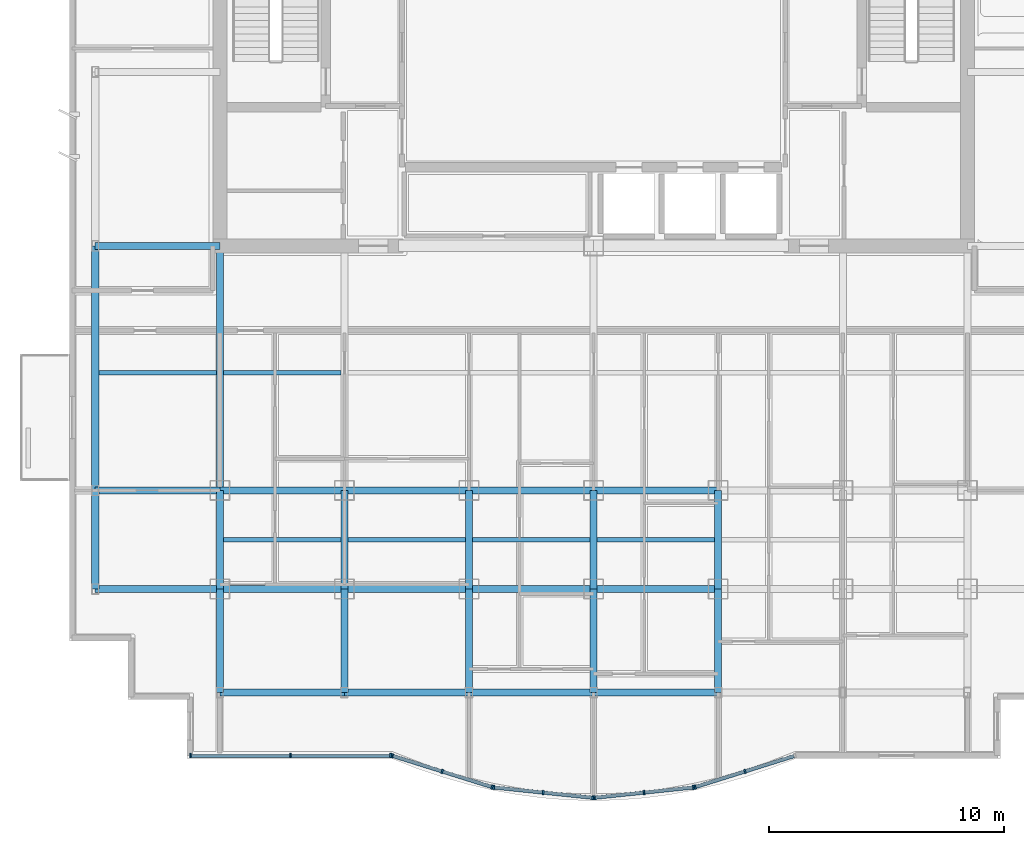
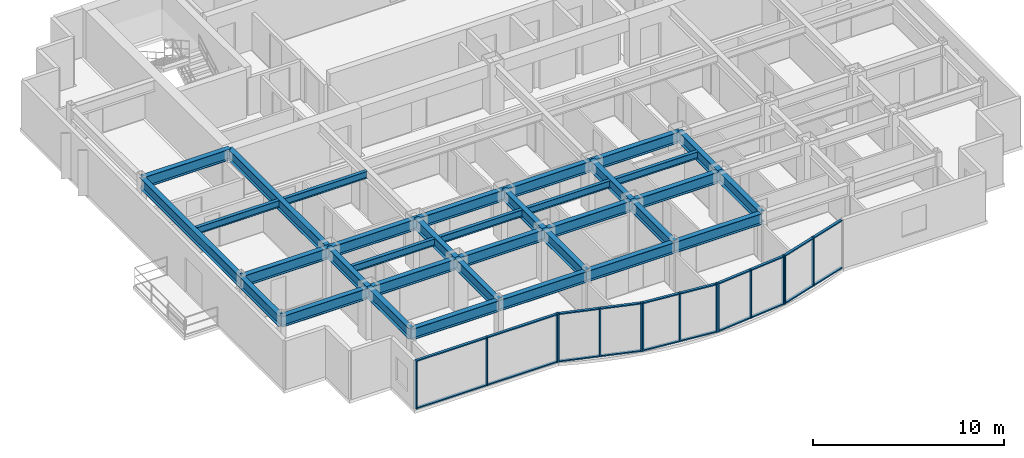
# One storey, part 2 of 11: 34 beams, 34 members, 5 elements without a shape of their own.
"""IFC4 building model written with IfcOpenShell, lengths in metres."""

from ifc_helpers import new_model, si_unit, direction, frame, origin, origin_2d, place, context, subcontext, project, spatial, rectangle, i_section, extrude, source, transform, mapped, material, layer, layer_set, material_profile, profile_set, type_object, element, aggregate, save


model = new_model("IFC4")

# Units and contexts
model_context = context("Model", 3, precision=1e-05, world=origin(), true_north=direction((0.0, 1.0)))
body_context = subcontext(model_context, "Body", "Model", "MODEL_VIEW")
ifc_project = project(units=[si_unit("LENGTHUNIT", "METRE"), si_unit("AREAUNIT", "SQUARE_METRE"), si_unit("VOLUMEUNIT", "CUBIC_METRE"), si_unit("PLANEANGLEUNIT", "RADIAN"), si_unit("MASSUNIT", "GRAM", prefix="KILO")], contexts=[model_context])

# Site, building, storey
site_placement = place(None, origin())
site = spatial("IfcSite", under=ifc_project, at=site_placement, CompositionType="ELEMENT")
building_placement = place(site_placement, origin())
building = spatial("IfcBuilding", under=site, at=building_placement, Name="Qianlan Lanfeng Residences", CompositionType="ELEMENT")
storey_placement = place(building_placement, frame((0.0, 0.0, 175.5)))
storey = spatial("IfcBuildingStorey", under=building, at=storey_placement, Name="L48", CompositionType="ELEMENT", Elevation=175.5)

# Beams
ifc_material_1 = material(Name="Steel SN490B", Category="steel")
ifc_material_profile_1 = material_profile(ifc_material_1, i_section(OverallWidth=0.300048828125, OverallDepth=0.699951171875, WebThickness=0.012939453125, FlangeThickness=0.02392578125, at=origin_2d()), Name="H 700x300x13x24")
ifc_profile_set_1 = profile_set([ifc_material_profile_1], Name="Steel SN490B")
beam_type_1 = type_object("IfcBeamType", Name="G-750", PredefinedType="BEAM", material=ifc_profile_set_1)
beam_1_placement = place(storey_placement, frame((5.300048828125, 10.60009765625, 2.75), z_axis=(1.0, 0.0, 0.0), x_axis=(0.0, 1.0, 0.0)))
element("IfcBeam", 1, at=beam_1_placement, inside=storey, type_object=beam_type_1, Name="Structural beam G-750", PredefinedType="BEAM", context=body_context, shape_type="SweptSolid", body=[
    extrude(i_section(OverallWidth=0.300048828125, OverallDepth=0.699951171875, WebThickness=0.012939453125, FlangeThickness=0.02392578125, at=origin_2d()), origin(), (0.0, 0.0, 1.0), 5.300048828125),
])
beam_2_placement = place(storey_placement, frame((10.60009765625, 10.60009765625, 2.75), z_axis=(1.0, 0.0, 0.0), x_axis=(0.0, 1.0, 0.0)))
element("IfcBeam", 2, at=beam_2_placement, inside=storey, type_object=beam_type_1, Name="Structural beam G-750", PredefinedType="BEAM", context=body_context, shape_type="SweptSolid", body=[
    extrude(i_section(OverallWidth=0.300048828125, OverallDepth=0.699951171875, WebThickness=0.012939453125, FlangeThickness=0.02392578125, at=origin_2d()), origin(), (0.0, 0.0, 1.0), 5.2998046875),
])
for number, where, z_axis, x_axis, name in (
    (3, (15.89990234375, 10.60009765625, 2.75), (1.0, 0.0, 0.0), (0.0, 1.0, 0.0), "Structural beam G-750"),
    (4, (21.199951171875, 10.60009765625, 2.75), (1.0, 0.0, 0.0), (0.0, 1.0, 0.0), "Structural beam G-750"),
    (5, (26.5, 10.60009765625, 2.75), (1.0, 0.0, 0.0), (0.0, 1.0, 0.0), "Structural beam G-750"),
    (6, (5.300048828125, 14.800048828125, 2.75), (1.0, 0.0, 0.0), (0.0, 1.0, 0.0), "Structural beam G-750"),
):
    element("IfcBeam", number, at=place(storey_placement, frame(where, z_axis=z_axis, x_axis=x_axis)), inside=storey, type_object=beam_type_1, Name=name, PredefinedType="BEAM", context=body_context, shape_type="SweptSolid", body=[
        extrude(i_section(OverallWidth=0.300048828125, OverallDepth=0.699951171875, WebThickness=0.012939453125, FlangeThickness=0.02392578125, at=origin_2d()), origin(), (0.0, 0.0, 1.0), 5.300048828125),
    ])
beam_3_placement = place(storey_placement, frame((10.60009765625, 14.800048828125, 2.75), z_axis=(1.0, 0.0, 0.0), x_axis=(0.0, 1.0, 0.0)))
element("IfcBeam", 7, at=beam_3_placement, inside=storey, type_object=beam_type_1, Name="Structural beam G-750", PredefinedType="BEAM", context=body_context, shape_type="SweptSolid", body=[
    extrude(i_section(OverallWidth=0.300048828125, OverallDepth=0.699951171875, WebThickness=0.012939453125, FlangeThickness=0.02392578125, at=origin_2d()), origin(), (0.0, 0.0, 1.0), 5.2998046875),
])
for number, where, z_axis, x_axis, name in (
    (8, (15.89990234375, 14.800048828125, 2.75), (1.0, 0.0, 0.0), (0.0, 1.0, 0.0), "Structural beam G-750"),
    (9, (21.199951171875, 14.800048828125, 2.75), (1.0, 0.0, 0.0), (0.0, 1.0, 0.0), "Structural beam G-750"),
    (10, (26.5, 14.800048828125, 2.75), (1.0, 0.0, 0.0), (0.0, 1.0, 0.0), "Structural beam G-750"),
    (11, (5.300048828125, 25.199951171875, 2.75), (1.0, 0.0, 0.0), (0.0, 1.0, 0.0), "Structural beam G-750"),
):
    element("IfcBeam", number, at=place(storey_placement, frame(where, z_axis=z_axis, x_axis=x_axis)), inside=storey, type_object=beam_type_1, Name=name, PredefinedType="BEAM", context=body_context, shape_type="SweptSolid", body=[
        extrude(i_section(OverallWidth=0.300048828125, OverallDepth=0.699951171875, WebThickness=0.012939453125, FlangeThickness=0.02392578125, at=origin_2d()), origin(), (0.0, 0.0, 1.0), 5.300048828125),
    ])
beam_4_placement = place(storey_placement, frame((10.60009765625, 6.199951171875, 2.75), z_axis=(0.0, 1.0, 0.0), x_axis=(-1.0, 0.0, 0.0)))
element("IfcBeam", 12, at=beam_4_placement, inside=storey, type_object=beam_type_1, Name="Structural beam G-750", PredefinedType="BEAM", context=body_context, shape_type="SweptSolid", body=[
    extrude(i_section(OverallWidth=0.300048828125, OverallDepth=0.699951171875, WebThickness=0.012939453125, FlangeThickness=0.02392578125, at=origin_2d()), origin(), (0.0, 0.0, 1.0), 4.400146484375),
])
beam_5_placement = place(storey_placement, frame((10.60009765625, 10.60009765625, 2.75), z_axis=(0.0, 1.0, 0.0), x_axis=(-1.0, 0.0, 0.0)))
element("IfcBeam", 13, at=beam_5_placement, inside=storey, type_object=beam_type_1, Name="Structural beam G-750", PredefinedType="BEAM", context=body_context, shape_type="SweptSolid", body=[
    extrude(i_section(OverallWidth=0.300048828125, OverallDepth=0.699951171875, WebThickness=0.012939453125, FlangeThickness=0.02392578125, at=origin_2d()), origin(), (0.0, 0.0, 1.0), 4.199951171875),
])
beam_6_placement = place(storey_placement, frame((10.60009765625, 14.800048828125, 2.75), z_axis=(0.0, 1.0, 0.0), x_axis=(-1.0, 0.0, 0.0)))
element("IfcBeam", 14, at=beam_6_placement, inside=storey, type_object=beam_type_1, Name="Structural beam G-750", PredefinedType="BEAM", context=body_context, shape_type="SweptSolid", body=[
    extrude(i_section(OverallWidth=0.300048828125, OverallDepth=0.699951171875, WebThickness=0.012939453125, FlangeThickness=0.02392578125, at=origin_2d()), origin(), (0.0, 0.0, 1.0), 10.39990234375),
])
beam_7_placement = place(storey_placement, frame((15.89990234375, 6.199951171875, 2.75), z_axis=(0.0, 1.0, 0.0), x_axis=(-1.0, 0.0, 0.0)))
element("IfcBeam", 15, at=beam_7_placement, inside=storey, type_object=beam_type_1, Name="Structural beam G-750", PredefinedType="BEAM", context=body_context, shape_type="SweptSolid", body=[
    extrude(i_section(OverallWidth=0.300048828125, OverallDepth=0.699951171875, WebThickness=0.012939453125, FlangeThickness=0.02392578125, at=origin_2d()), origin(), (0.0, 0.0, 1.0), 4.400146484375),
])
beam_8_placement = place(storey_placement, frame((15.89990234375, 10.60009765625, 2.75), z_axis=(0.0, 1.0, 0.0), x_axis=(-1.0, 0.0, 0.0)))
element("IfcBeam", 16, at=beam_8_placement, inside=storey, type_object=beam_type_1, Name="Structural beam G-750", PredefinedType="BEAM", context=body_context, shape_type="SweptSolid", body=[
    extrude(i_section(OverallWidth=0.300048828125, OverallDepth=0.699951171875, WebThickness=0.012939453125, FlangeThickness=0.02392578125, at=origin_2d()), origin(), (0.0, 0.0, 1.0), 4.199951171875),
])
beam_9_placement = place(storey_placement, frame((21.199951171875, 6.199951171875, 2.75), z_axis=(0.0, 1.0, 0.0), x_axis=(-1.0, 0.0, 0.0)))
element("IfcBeam", 17, at=beam_9_placement, inside=storey, type_object=beam_type_1, Name="Structural beam G-750", PredefinedType="BEAM", context=body_context, shape_type="SweptSolid", body=[
    extrude(i_section(OverallWidth=0.300048828125, OverallDepth=0.699951171875, WebThickness=0.012939453125, FlangeThickness=0.02392578125, at=origin_2d()), origin(), (0.0, 0.0, 1.0), 4.400146484375),
])
beam_10_placement = place(storey_placement, frame((21.199951171875, 10.60009765625, 2.75), z_axis=(0.0, 1.0, 0.0), x_axis=(-1.0, 0.0, 0.0)))
element("IfcBeam", 18, at=beam_10_placement, inside=storey, type_object=beam_type_1, Name="Structural beam G-750", PredefinedType="BEAM", context=body_context, shape_type="SweptSolid", body=[
    extrude(i_section(OverallWidth=0.300048828125, OverallDepth=0.699951171875, WebThickness=0.012939453125, FlangeThickness=0.02392578125, at=origin_2d()), origin(), (0.0, 0.0, 1.0), 4.199951171875),
])
beam_11_placement = place(storey_placement, frame((26.5, 6.199951171875, 2.75), z_axis=(0.0, 1.0, 0.0), x_axis=(-1.0, 0.0, 0.0)))
element("IfcBeam", 19, at=beam_11_placement, inside=storey, type_object=beam_type_1, Name="Structural beam G-750", PredefinedType="BEAM", context=body_context, shape_type="SweptSolid", body=[
    extrude(i_section(OverallWidth=0.300048828125, OverallDepth=0.699951171875, WebThickness=0.012939453125, FlangeThickness=0.02392578125, at=origin_2d()), origin(), (0.0, 0.0, 1.0), 4.400146484375),
])
beam_12_placement = place(storey_placement, frame((26.5, 10.60009765625, 2.75), z_axis=(0.0, 1.0, 0.0), x_axis=(-1.0, 0.0, 0.0)))
element("IfcBeam", 20, at=beam_12_placement, inside=storey, type_object=beam_type_1, Name="Structural beam G-750", PredefinedType="BEAM", context=body_context, shape_type="SweptSolid", body=[
    extrude(i_section(OverallWidth=0.300048828125, OverallDepth=0.699951171875, WebThickness=0.012939453125, FlangeThickness=0.02392578125, at=origin_2d()), origin(), (0.0, 0.0, 1.0), 4.199951171875),
])
beam_13_placement = place(storey_placement, frame((31.800048828125, 6.199951171875, 2.75), z_axis=(0.0, 1.0, 0.0), x_axis=(-1.0, 0.0, 0.0)))
element("IfcBeam", 21, at=beam_13_placement, inside=storey, type_object=beam_type_1, Name="Structural beam G-750", PredefinedType="BEAM", context=body_context, shape_type="SweptSolid", body=[
    extrude(i_section(OverallWidth=0.300048828125, OverallDepth=0.699951171875, WebThickness=0.012939453125, FlangeThickness=0.02392578125, at=origin_2d()), origin(), (0.0, 0.0, 1.0), 4.400146484375),
])
beam_14_placement = place(storey_placement, frame((31.800048828125, 10.60009765625, 2.75), z_axis=(0.0, 1.0, 0.0), x_axis=(-1.0, 0.0, 0.0)))
element("IfcBeam", 22, at=beam_14_placement, inside=storey, type_object=beam_type_1, Name="Structural beam G-750", PredefinedType="BEAM", context=body_context, shape_type="SweptSolid", body=[
    extrude(i_section(OverallWidth=0.300048828125, OverallDepth=0.699951171875, WebThickness=0.012939453125, FlangeThickness=0.02392578125, at=origin_2d()), origin(), (0.0, 0.0, 1.0), 4.199951171875),
])
ifc_material_profile_2 = material_profile(ifc_material_1, i_section(OverallWidth=0.199951171875, OverallDepth=0.449951171875, WebThickness=0.009033203125, FlangeThickness=0.013916015625, at=origin_2d()), Name="H 450x200x9x14")
ifc_profile_set_2 = profile_set([ifc_material_profile_2], Name="Steel SN490B")
beam_type_2 = type_object("IfcBeamType", Name="J-450", PredefinedType="JOIST", material=ifc_profile_set_2)
for number, where, z_axis, x_axis, name in (
    (23, (10.75, 12.699951171875, 2.875), (1.0, 0.0, 0.0), (0.0, 1.0, 0.0), "Structural beam J-450"),
    (24, (16.050048828125, 12.699951171875, 2.875), (1.0, 0.0, 0.0), (0.0, 1.0, 0.0), "Structural beam J-450"),
    (25, (21.35009765625, 12.699951171875, 2.875), (1.0, 0.0, 0.0), (0.0, 1.0, 0.0), "Structural beam J-450"),
    (26, (26.64990234375, 12.699951171875, 2.875), (1.0, 0.0, 0.0), (0.0, 1.0, 0.0), "Structural beam J-450"),
    (27, (5.449951171875, 19.800048828125, 2.875), (1.0, 0.0, 0.0), (0.0, 1.0, 0.0), "Structural beam J-450"),
    (28, (10.75, 19.800048828125, 2.875), (1.0, 0.0, 0.0), (0.0, 1.0, 0.0), "Structural beam J-450"),
):
    element("IfcBeam", number, at=place(storey_placement, frame(where, z_axis=z_axis, x_axis=x_axis)), inside=storey, type_object=beam_type_2, Name=name, PredefinedType="JOIST", context=body_context, shape_type="SweptSolid", body=[
        extrude(i_section(OverallWidth=0.199951171875, OverallDepth=0.449951171875, WebThickness=0.009033203125, FlangeThickness=0.013916015625, at=origin_2d()), origin(), (0.0, 0.0, 1.0), 5.0),
    ])
ifc_material_profile_3 = material_profile(ifc_material_1, i_section(OverallWidth=0.300048828125, OverallDepth=0.699951171875, WebThickness=0.012939453125, FlangeThickness=0.02392578125, at=origin_2d()), Name="H 700x300x13x24")
ifc_profile_set_3 = profile_set([ifc_material_profile_3], Name="Steel SN490B")
beam_type_3 = type_object("IfcBeamType", Name="SG-750", PredefinedType="SPANDREL", material=ifc_profile_set_3)
beam_15_placement = place(storey_placement, frame((10.60009765625, 6.199951171875, 2.739990234375), z_axis=(1.0, 0.0, 0.0), x_axis=(0.0, 1.0, 0.0)))
element("IfcBeam", 29, at=beam_15_placement, inside=storey, type_object=beam_type_3, Name="Structural beam SG-750", PredefinedType="SPANDREL", context=body_context, shape_type="SweptSolid", body=[
    extrude(i_section(OverallWidth=0.300048828125, OverallDepth=0.699951171875, WebThickness=0.012939453125, FlangeThickness=0.02392578125, at=origin_2d()), origin(), (0.0, 0.0, 1.0), 5.2998046875),
])
for number, where, z_axis, x_axis, name in (
    (30, (15.89990234375, 6.199951171875, 2.739990234375), (1.0, 0.0, 0.0), (0.0, 1.0, 0.0), "Structural beam SG-750"),
    (31, (21.199951171875, 6.199951171875, 2.739990234375), (1.0, 0.0, 0.0), (0.0, 1.0, 0.0), "Structural beam SG-750"),
    (32, (26.5, 6.199951171875, 2.739990234375), (1.0, 0.0, 0.0), (0.0, 1.0, 0.0), "Structural beam SG-750"),
):
    element("IfcBeam", number, at=place(storey_placement, frame(where, z_axis=z_axis, x_axis=x_axis)), inside=storey, type_object=beam_type_3, Name=name, PredefinedType="SPANDREL", context=body_context, shape_type="SweptSolid", body=[
        extrude(i_section(OverallWidth=0.300048828125, OverallDepth=0.699951171875, WebThickness=0.012939453125, FlangeThickness=0.02392578125, at=origin_2d()), origin(), (0.0, 0.0, 1.0), 5.300048828125),
    ])
beam_16_placement = place(storey_placement, frame((5.300048828125, 10.60009765625, 2.739990234375), z_axis=(0.0, 1.0, 0.0), x_axis=(-1.0, 0.0, 0.0)))
element("IfcBeam", 33, at=beam_16_placement, inside=storey, type_object=beam_type_3, Name="Structural beam SG-750", PredefinedType="SPANDREL", context=body_context, shape_type="SweptSolid", body=[
    extrude(i_section(OverallWidth=0.300048828125, OverallDepth=0.699951171875, WebThickness=0.012939453125, FlangeThickness=0.02392578125, at=origin_2d()), origin(), (0.0, 0.0, 1.0), 4.199951171875),
])
beam_17_placement = place(storey_placement, frame((5.300048828125, 14.800048828125, 2.739990234375), z_axis=(0.0, 1.0, 0.0), x_axis=(-1.0, 0.0, 0.0)))
element("IfcBeam", 34, at=beam_17_placement, inside=storey, type_object=beam_type_3, Name="Structural beam SG-750", PredefinedType="SPANDREL", context=body_context, shape_type="SweptSolid", body=[
    extrude(i_section(OverallWidth=0.300048828125, OverallDepth=0.699951171875, WebThickness=0.012939453125, FlangeThickness=0.02392578125, at=origin_2d()), origin(), (0.0, 0.0, 1.0), 10.39990234375),
])

# Curtain wall, members
ifc_material_2 = material(Name="Anodised Bronze Aluminium 6063-T6", Category="aluminium")
ifc_layer = layer(ifc_material_2, 0.219970703125)
ifc_layer_set = layer_set([ifc_layer], Name="Anodised Bronze Aluminium 6063-T6")
curtain_wall_type = type_object("IfcCurtainWallType", Name="CW-04", PredefinedType="NOTDEFINED", material=ifc_layer_set)
curtain_wall_1_placement = place(storey_placement, origin())
curtain_wall_1 = element("IfcCurtainWall", 35, at=curtain_wall_1_placement, inside=storey, type_object=curtain_wall_type, Name="L48 Unitised Curtain Wall CWR-L48-01 (CW-04)", PredefinedType="NOTDEFINED")
ifc_material_profile_4 = material_profile(ifc_material_2, rectangle(XDim=0.074951171875, YDim=0.14990234375, at=origin_2d()), Name="ALU TRANSOM 75x150")
ifc_profile_set_4 = profile_set([ifc_material_profile_4], Name="Anodised Bronze Aluminium 6063-T6")
member_type_1 = type_object("IfcMemberType", Name="CWT-150", PredefinedType="USERDEFINED", material=ifc_profile_set_4)
shared_shape_1 = source(origin(), body_context, "Body", "SweptSolid", [
    extrude(rectangle(XDim=0.074951171875, YDim=0.14990234375, at=origin_2d()), origin(), (0.0, 0.0, 1.0), 4.178955078125),
])
member_1_placement = place(storey_placement, frame((9.39501953125, 3.52001953125, 0.03759765625), z_axis=(1.0, 0.0, 0.0), x_axis=(0.0, 0.0, 1.0)))
member_1 = element("IfcMember", 36, at=member_1_placement, type_object=member_type_1, Name="CWR-L48-01 Transom 1-BOT", ObjectType="TRANSOM", PredefinedType="USERDEFINED", context=body_context, shape_type="MappedRepresentation", body=[
    mapped(shared_shape_1, transform((0.0, 0.0, 0.0), scale=1.0)),
])
member_2_placement = place(storey_placement, frame((9.39501953125, 3.52001953125, 3.0625), z_axis=(1.0, 0.0, 0.0), x_axis=(0.0, 0.0, 1.0)))
member_2 = element("IfcMember", 37, at=member_2_placement, type_object=member_type_1, Name="CWR-L48-01 Transom 1-TOP", ObjectType="TRANSOM", PredefinedType="USERDEFINED", context=body_context, shape_type="MappedRepresentation", body=[
    mapped(shared_shape_1, transform((0.0, 0.0, 0.0), scale=1.0)),
])
member_3_placement = place(storey_placement, frame((13.64892578125, 3.52001953125, 0.03759765625), z_axis=(1.0, 0.0, 0.0), x_axis=(0.0, 0.0, 1.0)))
member_3 = element("IfcMember", 38, at=member_3_placement, type_object=member_type_1, Name="CWR-L48-01 Transom 2-BOT", ObjectType="TRANSOM", PredefinedType="USERDEFINED", context=body_context, shape_type="MappedRepresentation", body=[
    mapped(shared_shape_1, transform((0.0, 0.0, 0.0), scale=1.0)),
])
member_4_placement = place(storey_placement, frame((13.64892578125, 3.52001953125, 3.0625), z_axis=(1.0, 0.0, 0.0), x_axis=(0.0, 0.0, 1.0)))
member_4 = element("IfcMember", 39, at=member_4_placement, type_object=member_type_1, Name="CWR-L48-01 Transom 2-TOP", ObjectType="TRANSOM", PredefinedType="USERDEFINED", context=body_context, shape_type="MappedRepresentation", body=[
    mapped(shared_shape_1, transform((0.0, 0.0, 0.0), scale=1.0)),
])

curtain_wall_2_placement = place(storey_placement, origin())
curtain_wall_2 = element("IfcCurtainWall", 40, at=curtain_wall_2_placement, inside=storey, type_object=curtain_wall_type, Name="L48 Unitised Curtain Wall CWR-L48-04 (CW-04)", PredefinedType="NOTDEFINED")
shared_shape_2 = source(origin(), body_context, "Body", "SweptSolid", [
    extrude(rectangle(XDim=0.074951171875, YDim=0.14990234375, at=origin_2d()), origin(), (0.0, 0.0, 1.0), 2.04150390625),
])
member_5_placement = place(storey_placement, frame((26.57470703125, 1.727783203125, 0.03759765625), z_axis=(0.994573388245, 0.104037374988, 0.0), x_axis=(0.0, 0.0, 1.0)))
member_5 = element("IfcMember", 41, at=member_5_placement, type_object=member_type_1, Name="CWR-L48-04 Transom 1-BOT", ObjectType="TRANSOM", PredefinedType="USERDEFINED", context=body_context, shape_type="MappedRepresentation", body=[
    mapped(shared_shape_2, transform((0.0, 0.0, 0.0), scale=1.0)),
])
member_6_placement = place(storey_placement, frame((26.57470703125, 1.727783203125, 3.0625), z_axis=(0.994573388245, 0.104037374988, 0.0), x_axis=(0.0, 0.0, 1.0)))
member_6 = element("IfcMember", 42, at=member_6_placement, type_object=member_type_1, Name="CWR-L48-04 Transom 1-TOP", ObjectType="TRANSOM", PredefinedType="USERDEFINED", context=body_context, shape_type="MappedRepresentation", body=[
    mapped(shared_shape_2, transform((0.0, 0.0, 0.0), scale=1.0)),
])

curtain_wall_3_placement = place(storey_placement, origin())
curtain_wall_3 = element("IfcCurtainWall", 43, at=curtain_wall_3_placement, inside=storey, type_object=curtain_wall_type, Name="L48 Unitised Curtain Wall CWR-L48-03 (CW-04)", PredefinedType="NOTDEFINED")
shared_shape_3 = source(origin(), body_context, "Body", "SweptSolid", [
    extrude(rectangle(XDim=0.074951171875, YDim=0.14990234375, at=origin_2d()), origin(), (0.0, 0.0, 1.0), 2.041748046875),
])
member_7_placement = place(storey_placement, frame((22.28955078125, 2.16015625, 0.03759765625), z_axis=(0.994587046158, -0.103906725548, 0.0), x_axis=(0.0, 0.0, 1.0)))
member_7 = element("IfcMember", 44, at=member_7_placement, type_object=member_type_1, Name="CWR-L48-03 Transom 1-BOT", ObjectType="TRANSOM", PredefinedType="USERDEFINED", context=body_context, shape_type="MappedRepresentation", body=[
    mapped(shared_shape_3, transform((0.0, 0.0, 0.0), scale=1.0)),
])
member_8_placement = place(storey_placement, frame((22.28955078125, 2.16015625, 3.0625), z_axis=(0.994587046158, -0.103906725548, 0.0), x_axis=(0.0, 0.0, 1.0)))
member_8 = element("IfcMember", 45, at=member_8_placement, type_object=member_type_1, Name="CWR-L48-03 Transom 1-TOP", ObjectType="TRANSOM", PredefinedType="USERDEFINED", context=body_context, shape_type="MappedRepresentation", body=[
    mapped(shared_shape_3, transform((0.0, 0.0, 0.0), scale=1.0)),
])
member_9_placement = place(storey_placement, frame((24.394775390625, 1.940185546875, 0.03759765625), z_axis=(0.994574682356, -0.104025002843, 0.0), x_axis=(0.0, 0.0, 1.0)))
member_9 = element("IfcMember", 46, at=member_9_placement, type_object=member_type_1, Name="CWR-L48-03 Transom 2-BOT", ObjectType="TRANSOM", PredefinedType="USERDEFINED", context=body_context, shape_type="MappedRepresentation", body=[
    mapped(shared_shape_3, transform((0.0, 0.0, 0.0), scale=1.0)),
])
member_10_placement = place(storey_placement, frame((24.394775390625, 1.940185546875, 3.0625), z_axis=(0.994574682356, -0.104025002843, 0.0), x_axis=(0.0, 0.0, 1.0)))
member_10 = element("IfcMember", 47, at=member_10_placement, type_object=member_type_1, Name="CWR-L48-03 Transom 2-TOP", ObjectType="TRANSOM", PredefinedType="USERDEFINED", context=body_context, shape_type="MappedRepresentation", body=[
    mapped(shared_shape_3, transform((0.0, 0.0, 0.0), scale=1.0)),
])

# Member
member_11_placement = place(storey_placement, frame((28.6796875, 1.947998046875, 0.03759765625), z_axis=(0.994587046158, 0.103906725548, 0.0), x_axis=(0.0, 0.0, 1.0)))
member_11 = element("IfcMember", 48, at=member_11_placement, type_object=member_type_1, Name="CWR-L48-04 Transom 2-BOT", ObjectType="TRANSOM", PredefinedType="USERDEFINED", context=body_context, shape_type="MappedRepresentation", body=[
    mapped(shared_shape_3, transform((0.0, 0.0, 0.0), scale=1.0)),
])

member_12_placement = place(storey_placement, frame((28.6796875, 1.947998046875, 3.0625), z_axis=(0.994587046158, 0.103906725548, 0.0), x_axis=(0.0, 0.0, 1.0)))
member_12 = element("IfcMember", 49, at=member_12_placement, type_object=member_type_1, Name="CWR-L48-04 Transom 2-TOP", ObjectType="TRANSOM", PredefinedType="USERDEFINED", context=body_context, shape_type="MappedRepresentation", body=[
    mapped(shared_shape_3, transform((0.0, 0.0, 0.0), scale=1.0)),
])

# Curtain wall, members
curtain_wall_4_placement = place(storey_placement, origin())
curtain_wall_4 = element("IfcCurtainWall", 50, at=curtain_wall_4_placement, inside=storey, type_object=curtain_wall_type, Name="L48 Unitised Curtain Wall CWR-L48-02 (CW-04)", PredefinedType="NOTDEFINED")
shared_shape_4 = source(origin(), body_context, "Body", "SweptSolid", [
    extrude(rectangle(XDim=0.074951171875, YDim=0.14990234375, at=origin_2d()), origin(), (0.0, 0.0, 1.0), 2.14697265625),
])
member_13_placement = place(storey_placement, frame((17.974609375, 3.49755859375, 0.03759765625), z_axis=(0.954194238714, -0.299187825296, 0.0), x_axis=(0.0, 0.0, 1.0)))
member_13 = element("IfcMember", 51, at=member_13_placement, type_object=member_type_1, Name="CWR-L48-02 Transom 1-BOT", ObjectType="TRANSOM", PredefinedType="USERDEFINED", context=body_context, shape_type="MappedRepresentation", body=[
    mapped(shared_shape_4, transform((0.0, 0.0, 0.0), scale=1.0)),
])
member_14_placement = place(storey_placement, frame((17.974609375, 3.49755859375, 3.0625), z_axis=(0.954194238714, -0.299187825296, 0.0), x_axis=(0.0, 0.0, 1.0)))
member_14 = element("IfcMember", 52, at=member_14_placement, type_object=member_type_1, Name="CWR-L48-02 Transom 1-TOP", ObjectType="TRANSOM", PredefinedType="USERDEFINED", context=body_context, shape_type="MappedRepresentation", body=[
    mapped(shared_shape_4, transform((0.0, 0.0, 0.0), scale=1.0)),
])
member_15_placement = place(storey_placement, frame((20.0947265625, 2.832763671875, 0.03759765625), z_axis=(0.954194238714, -0.299187825296, 0.0), x_axis=(0.0, 0.0, 1.0)))
member_15 = element("IfcMember", 53, at=member_15_placement, type_object=member_type_1, Name="CWR-L48-02 Transom 2-BOT", ObjectType="TRANSOM", PredefinedType="USERDEFINED", context=body_context, shape_type="MappedRepresentation", body=[
    mapped(shared_shape_4, transform((0.0, 0.0, 0.0), scale=1.0)),
])
member_16_placement = place(storey_placement, frame((20.0947265625, 2.832763671875, 3.0625), z_axis=(0.954194238714, -0.299187825296, 0.0), x_axis=(0.0, 0.0, 1.0)))
member_16 = element("IfcMember", 54, at=member_16_placement, type_object=member_type_1, Name="CWR-L48-02 Transom 2-TOP", ObjectType="TRANSOM", PredefinedType="USERDEFINED", context=body_context, shape_type="MappedRepresentation", body=[
    mapped(shared_shape_4, transform((0.0, 0.0, 0.0), scale=1.0)),
])

curtain_wall_5_placement = place(storey_placement, origin())
curtain_wall_5 = element("IfcCurtainWall", 55, at=curtain_wall_5_placement, inside=storey, type_object=curtain_wall_type, Name="L48 Unitised Curtain Wall CWR-L48-05 (CW-04)", PredefinedType="NOTDEFINED")
member_17_placement = place(storey_placement, frame((30.856689453125, 2.1904296875, 0.03759765625), z_axis=(0.954194238714, 0.299187825296, 0.0), x_axis=(0.0, 0.0, 1.0)))
member_17 = element("IfcMember", 56, at=member_17_placement, type_object=member_type_1, Name="CWR-L48-05 Transom 1-BOT", ObjectType="TRANSOM", PredefinedType="USERDEFINED", context=body_context, shape_type="MappedRepresentation", body=[
    mapped(shared_shape_4, transform((0.0, 0.0, 0.0), scale=1.0)),
])
member_18_placement = place(storey_placement, frame((30.856689453125, 2.1904296875, 3.0625), z_axis=(0.954194238714, 0.299187825296, 0.0), x_axis=(0.0, 0.0, 1.0)))
member_18 = element("IfcMember", 57, at=member_18_placement, type_object=member_type_1, Name="CWR-L48-05 Transom 1-TOP", ObjectType="TRANSOM", PredefinedType="USERDEFINED", context=body_context, shape_type="MappedRepresentation", body=[
    mapped(shared_shape_4, transform((0.0, 0.0, 0.0), scale=1.0)),
])
member_19_placement = place(storey_placement, frame((32.976806640625, 2.855224609375, 0.03759765625), z_axis=(0.954194238714, 0.299187825296, 0.0), x_axis=(0.0, 0.0, 1.0)))
member_19 = element("IfcMember", 58, at=member_19_placement, type_object=member_type_1, Name="CWR-L48-05 Transom 2-BOT", ObjectType="TRANSOM", PredefinedType="USERDEFINED", context=body_context, shape_type="MappedRepresentation", body=[
    mapped(shared_shape_4, transform((0.0, 0.0, 0.0), scale=1.0)),
])
member_20_placement = place(storey_placement, frame((32.976806640625, 2.855224609375, 3.0625), z_axis=(0.954194238714, 0.299187825296, 0.0), x_axis=(0.0, 0.0, 1.0)))
member_20 = element("IfcMember", 59, at=member_20_placement, type_object=member_type_1, Name="CWR-L48-05 Transom 2-TOP", ObjectType="TRANSOM", PredefinedType="USERDEFINED", context=body_context, shape_type="MappedRepresentation", body=[
    mapped(shared_shape_4, transform((0.0, 0.0, 0.0), scale=1.0)),
])

# Member
ifc_material_profile_5 = material_profile(ifc_material_2, rectangle(XDim=0.074951171875, YDim=0.179931640625, at=origin_2d()), Name="ALU MULLION 75x180")
ifc_profile_set_5 = profile_set([ifc_material_profile_5], Name="Anodised Bronze Aluminium 6063-T6")
member_type_2 = type_object("IfcMemberType", Name="CWM-180", PredefinedType="MULLION", material=ifc_profile_set_5)
shared_shape_5 = source(origin(), body_context, "Body", "SweptSolid", [
    extrude(rectangle(XDim=0.074951171875, YDim=0.179931640625, at=origin_2d()), origin(), (0.0, 0.0, 1.0), 3.10009765625),
])
member_21_placement = place(storey_placement, frame((9.357421875, 3.52001953125, 0.0), z_axis=(0.0, 0.0, 1.0), x_axis=(1.0, 0.0, 0.0)))
member_21 = element("IfcMember", 60, at=member_21_placement, type_object=member_type_2, Name="CWR-L48-01 Mullion 1", PredefinedType="MULLION", context=body_context, shape_type="MappedRepresentation", body=[
    mapped(shared_shape_5, transform((0.0, 0.0, 0.0), scale=1.0)),
])

member_22_placement = place(storey_placement, frame((13.611572265625, 3.52001953125, 0.0), z_axis=(0.0, 0.0, 1.0), x_axis=(1.0, 0.0, 0.0)))
member_22 = element("IfcMember", 61, at=member_22_placement, type_object=member_type_2, Name="CWR-L48-01 Mullion 2", PredefinedType="MULLION", context=body_context, shape_type="MappedRepresentation", body=[
    mapped(shared_shape_5, transform((0.0, 0.0, 0.0), scale=1.0)),
])

member_23_placement = place(storey_placement, frame((17.865478515625, 3.52001953125, 0.0), z_axis=(0.0, 0.0, 1.0), x_axis=(1.0, 0.0, 0.0)))
member_23 = element("IfcMember", 62, at=member_23_placement, type_object=member_type_2, Name="CWR-L48-01 Mullion 3", PredefinedType="MULLION", context=body_context, shape_type="MappedRepresentation", body=[
    mapped(shared_shape_5, transform((0.0, 0.0, 0.0), scale=1.0)),
])

aggregate(curtain_wall_1, [member_21, member_22, member_23, member_1, member_2, member_3, member_4])

member_24_placement = place(storey_placement, frame((17.938720703125, 3.5087890625, 0.0), z_axis=(0.0, 0.0, 1.0), x_axis=(0.954195954421, -0.299182353367, 0.0)))
member_24 = element("IfcMember", 63, at=member_24_placement, type_object=member_type_2, Name="CWR-L48-02 Mullion 1", PredefinedType="MULLION", context=body_context, shape_type="MappedRepresentation", body=[
    mapped(shared_shape_5, transform((0.0, 0.0, 0.0), scale=1.0)),
])

member_25_placement = place(storey_placement, frame((20.05908203125, 2.843994140625, 0.0), z_axis=(0.0, 0.0, 1.0), x_axis=(0.954195954421, -0.299182353367, 0.0)))
member_25 = element("IfcMember", 64, at=member_25_placement, type_object=member_type_2, Name="CWR-L48-02 Mullion 2", PredefinedType="MULLION", context=body_context, shape_type="MappedRepresentation", body=[
    mapped(shared_shape_5, transform((0.0, 0.0, 0.0), scale=1.0)),
])

member_26_placement = place(storey_placement, frame((22.17919921875, 2.17919921875, 0.0), z_axis=(0.0, 0.0, 1.0), x_axis=(0.954195954421, -0.299182353367, 0.0)))
member_26 = element("IfcMember", 65, at=member_26_placement, type_object=member_type_2, Name="CWR-L48-02 Mullion 3", PredefinedType="MULLION", context=body_context, shape_type="MappedRepresentation", body=[
    mapped(shared_shape_5, transform((0.0, 0.0, 0.0), scale=1.0)),
])

aggregate(curtain_wall_4, [member_24, member_25, member_26, member_13, member_14, member_15, member_16])

member_27_placement = place(storey_placement, frame((22.252197265625, 2.1640625, 0.0), z_axis=(0.0, 0.0, 1.0), x_axis=(0.994579031105, -0.103983416397, 0.0)))
member_27 = element("IfcMember", 66, at=member_27_placement, type_object=member_type_2, Name="CWR-L48-03 Mullion 1", PredefinedType="MULLION", context=body_context, shape_type="MappedRepresentation", body=[
    mapped(shared_shape_5, transform((0.0, 0.0, 0.0), scale=1.0)),
])

member_28_placement = place(storey_placement, frame((24.357421875, 1.944091796875, 0.0), z_axis=(0.0, 0.0, 1.0), x_axis=(0.994579031105, -0.103983416397, 0.0)))
member_28 = element("IfcMember", 67, at=member_28_placement, type_object=member_type_2, Name="CWR-L48-03 Mullion 2", PredefinedType="MULLION", context=body_context, shape_type="MappedRepresentation", body=[
    mapped(shared_shape_5, transform((0.0, 0.0, 0.0), scale=1.0)),
])

member_29_placement = place(storey_placement, frame((26.462646484375, 1.723876953125, 0.0), z_axis=(0.0, 0.0, 1.0), x_axis=(0.994579031105, -0.103983416397, 0.0)))
member_29 = element("IfcMember", 68, at=member_29_placement, type_object=member_type_2, Name="CWR-L48-03 Mullion 3", PredefinedType="MULLION", context=body_context, shape_type="MappedRepresentation", body=[
    mapped(shared_shape_5, transform((0.0, 0.0, 0.0), scale=1.0)),
])

aggregate(curtain_wall_3, [member_27, member_28, member_29, member_7, member_8, member_9, member_10])

member_30_placement = place(storey_placement, frame((26.537353515625, 1.723876953125, 0.0), z_axis=(0.0, 0.0, 1.0), x_axis=(0.994579031105, 0.103983416397, 0.0)))
member_30 = element("IfcMember", 69, at=member_30_placement, type_object=member_type_2, Name="CWR-L48-04 Mullion 1", PredefinedType="MULLION", context=body_context, shape_type="MappedRepresentation", body=[
    mapped(shared_shape_5, transform((0.0, 0.0, 0.0), scale=1.0)),
])

member_31_placement = place(storey_placement, frame((28.642578125, 1.944091796875, 0.0), z_axis=(0.0, 0.0, 1.0), x_axis=(0.994579031105, 0.103983416397, 0.0)))
member_31 = element("IfcMember", 70, at=member_31_placement, type_object=member_type_2, Name="CWR-L48-04 Mullion 2", PredefinedType="MULLION", context=body_context, shape_type="MappedRepresentation", body=[
    mapped(shared_shape_5, transform((0.0, 0.0, 0.0), scale=1.0)),
])

member_32_placement = place(storey_placement, frame((30.747802734375, 2.1640625, 0.0), z_axis=(0.0, 0.0, 1.0), x_axis=(0.994579031105, 0.103983416397, 0.0)))
member_32 = element("IfcMember", 71, at=member_32_placement, type_object=member_type_2, Name="CWR-L48-04 Mullion 3", PredefinedType="MULLION", context=body_context, shape_type="MappedRepresentation", body=[
    mapped(shared_shape_5, transform((0.0, 0.0, 0.0), scale=1.0)),
])

aggregate(curtain_wall_2, [member_30, member_31, member_32, member_5, member_6, member_11, member_12])

member_33_placement = place(storey_placement, frame((30.82080078125, 2.17919921875, 0.0), z_axis=(0.0, 0.0, 1.0), x_axis=(0.954195954421, 0.299182353367, 0.0)))
member_33 = element("IfcMember", 72, at=member_33_placement, type_object=member_type_2, Name="CWR-L48-05 Mullion 1", PredefinedType="MULLION", context=body_context, shape_type="MappedRepresentation", body=[
    mapped(shared_shape_5, transform((0.0, 0.0, 0.0), scale=1.0)),
])

member_34_placement = place(storey_placement, frame((32.94091796875, 2.843994140625, 0.0), z_axis=(0.0, 0.0, 1.0), x_axis=(0.954195954421, 0.299182353367, 0.0)))
member_34 = element("IfcMember", 73, at=member_34_placement, type_object=member_type_2, Name="CWR-L48-05 Mullion 2", PredefinedType="MULLION", context=body_context, shape_type="MappedRepresentation", body=[
    mapped(shared_shape_5, transform((0.0, 0.0, 0.0), scale=1.0)),
])

aggregate(curtain_wall_5, [member_33, member_34, member_17, member_18, member_19, member_20])

save(model, "model.ifc")
